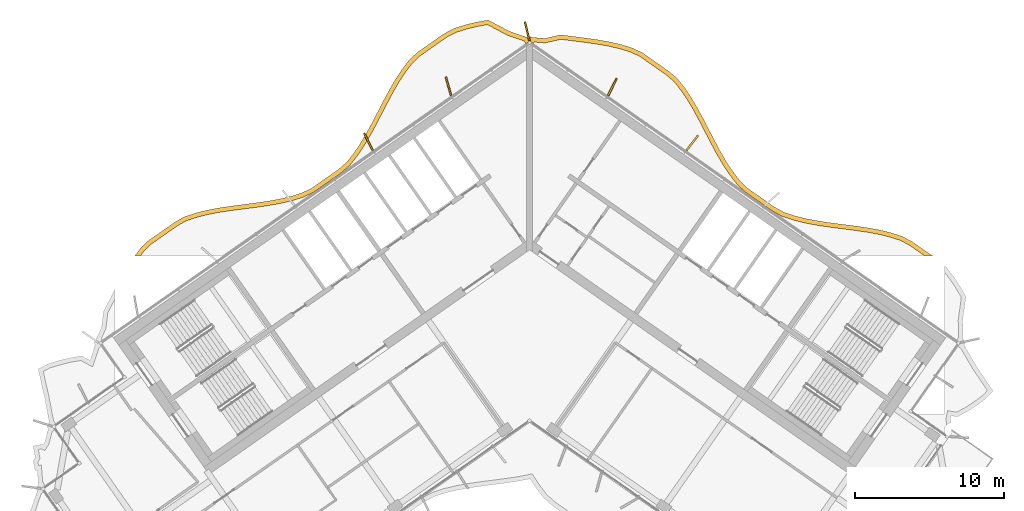
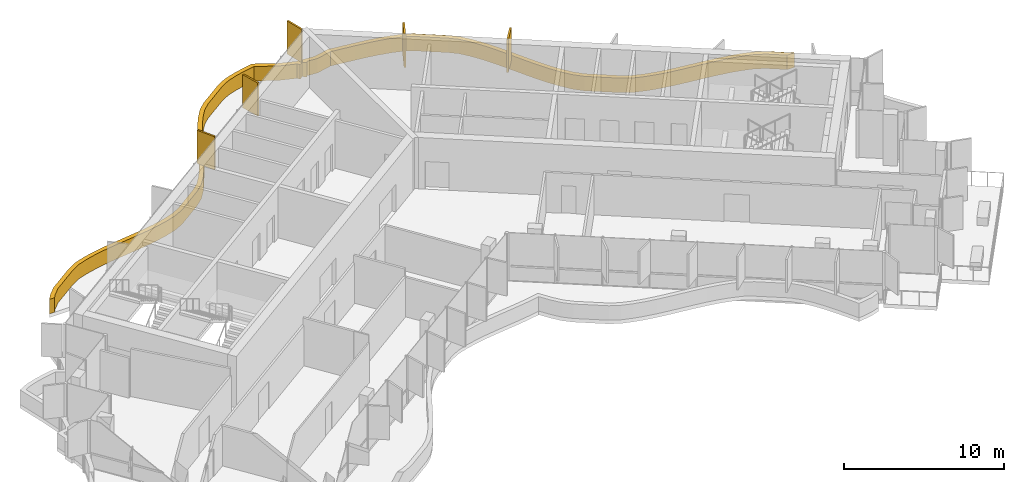
# One storey, part 17 of 18: 6 shading devices.
"""IFC4 building model written with IfcOpenShell, lengths in metres."""

import ifcopenshell
import ifcopenshell.guid

model = None  # the IFC model being written
_history = None  # IfcOwnerHistory: only IFC2X3 demands one
_inside = {}  # id of a spatial element -> (the spatial element, [elements in it])
_under = {}  # id of a project, library or spatial element -> (it, [spatial elements below it])
_declared = {}  # id of a project -> (the project, [libraries it declares])
_typed = {}  # id of a type object -> (the type object, [elements of that type])
_made_of = {}  # id of a material, layer set ... -> (it, [elements and type objects made of it])


def new_model(schema):
    """Start an empty IFC model of exactly this schema.

    Asked for "IFC4X3", IfcOpenShell would pick the latest addendum, in which some entities
    have other attributes; the version numbers below select the first issue.
    IFC2X3 requires an IfcOwnerHistory on every rooted entity: one is made here for all.
    """
    global model, _history
    if schema == "IFC4X3":
        model = ifcopenshell.file(schema_version=(4, 3, 0, 0))
    else:
        model = ifcopenshell.file(schema=schema)
    _inside.clear()
    _under.clear()
    _declared.clear()
    _typed.clear()
    _made_of.clear()
    _history = None
    if model.schema == "IFC2X3":
        org = make("IfcOrganization", Name="unknown")
        user = make(
            "IfcPersonAndOrganization",
            ThePerson=make("IfcPerson", FamilyName="unknown"),
            TheOrganization=org,
        )
        app = make(
            "IfcApplication",
            ApplicationDeveloper=org,
            Version="unknown",
            ApplicationFullName="unknown",
            ApplicationIdentifier="unknown",
        )
        _history = make(
            "IfcOwnerHistory",
            OwningUser=user,
            OwningApplication=app,
            ChangeAction="ADDED",
            CreationDate=0,
        )
    return model


def make(cls, **values):
    """One entity of the class cls with the attributes given. An attribute that is None is left unset."""
    return model.create_entity(
        cls, **{name: value for name, value in values.items() if value is not None}
    )


def rooted(cls, **values):
    """An entity with a GlobalId (a new one), such as an element, a storey or a relation."""
    return make(cls, GlobalId=ifcopenshell.guid.new(), OwnerHistory=_history, **values)


def si_unit(unit_type, name, prefix=None):
    """IfcSIUnit, for example si_unit("LENGTHUNIT", "METRE", prefix="MILLI")."""
    return make("IfcSIUnit", UnitType=unit_type, Prefix=prefix, Name=name)


def assignment(units):
    """IfcUnitAssignment: the units of a project."""
    return None if units is None else make("IfcUnitAssignment", Units=units)


def point(xyz):
    """IfcCartesianPoint."""
    return None if xyz is None else make("IfcCartesianPoint", Coordinates=xyz)


def direction(xyz):
    """IfcDirection."""
    return None if xyz is None else make("IfcDirection", DirectionRatios=xyz)


def frame(location, z_axis=None, x_axis=None):
    """IfcAxis2Placement3D, a coordinate frame: its origin and axes. An axis left out is left unset."""
    return make(
        "IfcAxis2Placement3D",
        Location=point(location),
        Axis=direction(z_axis),
        RefDirection=direction(x_axis),
    )


def frame_2d(location, x_axis=None):
    """IfcAxis2Placement2D, a coordinate frame in the plane: its origin and x axis."""
    return make(
        "IfcAxis2Placement2D", Location=point(location), RefDirection=direction(x_axis)
    )


def origin():
    """The frame at (0, 0, 0) with its axes left unset."""
    return frame((0.0, 0.0, 0.0))


def origin_2d():
    """The frame at (0, 0) in the plane with its x axis left unset."""
    return frame_2d((0.0, 0.0))


def place(relative_to, where):
    """IfcLocalPlacement: puts the frame where relative to a parent placement (None: the world)."""
    return make(
        "IfcLocalPlacement", PlacementRelTo=relative_to, RelativePlacement=where
    )


def context(
    kind, dimensions, precision=None, world=None, true_north=None, identifier=None
):
    """IfcGeometricRepresentationContext, for example the 3D "Model" context."""
    return make(
        "IfcGeometricRepresentationContext",
        ContextIdentifier=identifier,
        ContextType=kind,
        CoordinateSpaceDimension=dimensions,
        Precision=precision,
        WorldCoordinateSystem=world,
        TrueNorth=true_north,
    )


def subcontext(parent, identifier, kind, view, scale=None):
    """IfcGeometricRepresentationSubContext, for example "Body" below "Model"."""
    return make(
        "IfcGeometricRepresentationSubContext",
        ContextIdentifier=identifier,
        ContextType=kind,
        ParentContext=parent,
        TargetScale=scale,
        TargetView=view,
    )


def project(units=None, contexts=None):
    """IfcProject with its units and contexts."""
    return rooted(
        "IfcProject",
        Name="project",
        RepresentationContexts=contexts,
        UnitsInContext=assignment(units),
    )


def spatial(cls, under=None, at=None, **own):
    """A site, building, storey or space (cls), placed at a placement, below another one or the project."""
    s = rooted(cls, ObjectPlacement=at, **own)
    if under is not None:
        _under.setdefault(under.id(), (under, []))[1].append(s)
    return s


def polyline(points):
    """IfcPolyline through the points."""
    return make("IfcPolyline", Points=[point(p) for p in points])


def profile(cls, at=None, kind="AREA", **sizes):
    """A parametric profile (cls). Its sizes go by their IFC names, for example OverallWidth=200.0."""
    return make(cls, ProfileType=kind, Position=at, **sizes)


def rectangle(**sizes):
    """IfcRectangleProfileDef."""
    return profile("IfcRectangleProfileDef", **sizes)


def outline(outer, holes=None, kind="AREA"):
    """IfcArbitraryClosedProfileDef: a profile drawn as a closed curve; with holes, ...WithVoids."""
    if holes is None:
        return make("IfcArbitraryClosedProfileDef", ProfileType=kind, OuterCurve=outer)
    return make(
        "IfcArbitraryProfileDefWithVoids",
        ProfileType=kind,
        OuterCurve=outer,
        InnerCurves=holes,
    )


def extrude(swept, where, along, depth):
    """IfcExtrudedAreaSolid: the profile swept, set in the frame where, extruded along a direction by depth."""
    return make(
        "IfcExtrudedAreaSolid",
        SweptArea=swept,
        Position=where,
        ExtrudedDirection=direction(along),
        Depth=depth,
    )


def shape(context_of_items, identifier, shape_type, items):
    """IfcShapeRepresentation: the items that make up one representation, for example the "Body"."""
    return make(
        "IfcShapeRepresentation",
        ContextOfItems=context_of_items,
        RepresentationIdentifier=identifier,
        RepresentationType=shape_type,
        Items=items,
    )


def material(Name=None, Category=None):
    """IfcMaterial."""
    return make("IfcMaterial", Name=Name, Category=Category)


def layer(
    of_material, thickness, ventilated=None, Name=None, Category=None, Priority=None
):
    """IfcMaterialLayer: one layer of a wall or slab, of a material (None: an air gap)."""
    return make(
        "IfcMaterialLayer",
        Material=of_material,
        LayerThickness=thickness,
        IsVentilated=ventilated,
        Name=Name,
        Category=Category,
        Priority=Priority,
    )


def layer_set(layers, Name=None):
    """IfcMaterialLayerSet."""
    return make("IfcMaterialLayerSet", MaterialLayers=layers, LayerSetName=Name)


def made_of(thing, what):
    """Note that an element or type object is made of a material, layer set ...; save() writes the relation."""
    if what is not None:
        _made_of.setdefault(what.id(), (what, []))[1].append(thing)
    return thing


def type_object(cls, material=None, **own):
    """A type object (cls), such as IfcWallType, which elements share."""
    return made_of(rooted(cls, **own), material)


def element(
    cls,
    number,
    at=None,
    inside=None,
    cuts=None,
    type_object=None,
    material=None,
    context=None,
    identifier="Body",
    shape_type=None,
    held_by="IfcProductDefinitionShape",
    body=None,
    shapes=None,
    **own,
):
    """One element of the class cls, such as IfcWall. Its Tag is "e" and its number.

    at: its placement. inside: the storey or other place that contains it. cuts: it is an
    opening in that element (IfcRelVoidsElement). A single representation is given by context,
    identifier, shape_type and body (its items); several are given by shapes. held_by: the class
    of the entity that holds the representations. save() writes the other relations.
    """
    e = rooted(cls, Tag="e%d" % number, ObjectPlacement=at, **own)
    if body is not None:
        shapes = [shape(context, identifier, shape_type, body)]
    if shapes is not None:
        e.Representation = make(held_by, Representations=shapes)
    if inside is not None:
        _inside.setdefault(inside.id(), (inside, []))[1].append(e)
    if cuts is not None:
        rooted(
            "IfcRelVoidsElement", RelatingBuildingElement=cuts, RelatedOpeningElement=e
        )
    if type_object is not None:
        _typed.setdefault(type_object.id(), (type_object, []))[1].append(e)
    return made_of(e, material)


def aggregate(whole, parts):
    """IfcRelAggregates: a whole, such as a stair, and the parts it consists of."""
    return rooted("IfcRelAggregates", RelatingObject=whole, RelatedObjects=parts)


def save(model, path):
    """Write the relations noted so far, then the file.

    IfcRelAggregates (storeys below a building ...), IfcRelContainedInSpatialStructure (elements
    in a storey), IfcRelDefinesByType, IfcRelAssociatesMaterial and IfcRelDeclares: one each for
    every whole, place, type object, material and project.
    """
    for whole, parts in _under.values():
        aggregate(whole, parts)
    for where, things in _inside.values():
        rooted(
            "IfcRelContainedInSpatialStructure",
            RelatedElements=things,
            RelatingStructure=where,
        )
    for kind, things in _typed.values():
        rooted("IfcRelDefinesByType", RelatedObjects=things, RelatingType=kind)
    for what, things in _made_of.values():
        rooted("IfcRelAssociatesMaterial", RelatedObjects=things, RelatingMaterial=what)
    for by, libraries in _declared.values():
        rooted("IfcRelDeclares", RelatingContext=by, RelatedDefinitions=libraries)
    model.write(path)


model = new_model("IFC4")

# Units and contexts
model_context = context("Model", 3, precision=1e-05, world=origin(), true_north=direction((0.0, 1.0)))
body_context = subcontext(model_context, "Body", "Model", "MODEL_VIEW")
ifc_project = project(units=[si_unit("LENGTHUNIT", "METRE"), si_unit("AREAUNIT", "SQUARE_METRE"), si_unit("VOLUMEUNIT", "CUBIC_METRE"), si_unit("PLANEANGLEUNIT", "RADIAN"), si_unit("MASSUNIT", "GRAM", prefix="KILO")], contexts=[model_context])

# Site, building, storey
site_placement = place(None, origin())
site = spatial("IfcSite", under=ifc_project, at=site_placement, CompositionType="ELEMENT")
building_placement = place(site_placement, origin())
building = spatial("IfcBuilding", under=site, at=building_placement, Name="Tel Ilan Convention Tower", CompositionType="ELEMENT")
storey_placement = place(building_placement, frame((0.0, 0.0, 272.199951171875)))
storey = spatial("IfcBuildingStorey", under=building, at=storey_placement, Name="L64", CompositionType="ELEMENT", Elevation=272.199951171875)

# Shading devices
ifc_material_1 = material(Name="Aluminium, bronze anodised", Category="aluminium")
ifc_layer_1 = layer(ifc_material_1, 0.1201171875)
ifc_layer_set_1 = layer_set([ifc_layer_1], Name="FIN BRONZE 1300x120")
shading_device_type_1 = type_object("IfcShadingDeviceType", Name="FIN BRONZE 1300x120", PredefinedType="USERDEFINED", material=ifc_layer_set_1)
for number, where, z_axis, x_axis, name in (
    (1, (10.929931640625, 5.96044921875, 1.10009765625), (0.0, 0.0, 1.0), (0.612600545196, 0.790392669516, 0.0), "FIN"),
    (2, (5.561767578125, 9.718994140625, 1.10009765625), (0.0, 0.0, 1.0), (0.448799180206, 0.893632640321, 0.0), "FIN"),
    (3, (-0.156005859375, 13.463134765625, 1.10009765625), (0.0, 0.0, 1.0), (-0.240039791311, 0.970763049661, 0.0), "FIN"),
    (4, (-5.45068359375, 9.7734375, 1.10009765625), (0.0, 0.0, 1.0), (-0.268172612768, 0.963370878614, 0.0), "FIN"),
    (5, (-10.826904296875, 6.0322265625, 1.10009765625), (0.0, 0.0, 1.0), (-0.448799180206, 0.893632640321, 0.0), "FIN"),
):
    element("IfcShadingDevice", number, at=place(storey_placement, frame(where, z_axis=z_axis, x_axis=x_axis)), inside=storey, type_object=shading_device_type_1, Name=name, ObjectType="FIN", PredefinedType="USERDEFINED", context=body_context, shape_type="SweptSolid", body=[
        extrude(rectangle(XDim=1.300048828125, YDim=0.1201171875, at=origin_2d()), origin(), (0.0, 0.0, 1.0), 2.52001953125),
    ])
ifc_material_2 = material(Name="Aluminium, bronze anodised", Category="aluminium")
ifc_layer_2 = layer(ifc_material_2, 0.300048828125)
ifc_layer_set_2 = layer_set([ifc_layer_2], Name="LOUVRE BAND 300x1100")
shading_device_type_2 = type_object("IfcShadingDeviceType", Name="LOUVRE BAND 300x1100", PredefinedType="USERDEFINED", material=ifc_layer_set_2)
shading_device_placement = place(storey_placement, origin())
element("IfcShadingDevice", 6, at=shading_device_placement, inside=storey, type_object=shading_device_type_2, Name="LOUVRE BAND 49.02", ObjectType="LOUVRE", PredefinedType="USERDEFINED", context=body_context, shape_type="SweptSolid", body=[
    extrude(outline(polyline([(-26.1787109375, -1.1572265625), (-26.535888671875, -1.631591796875), (-26.160400390625, -1.631591796875), (-25.951416015625, -1.35400390625), (-25.457275390625, -0.856689453125), (-23.680908203125, 0.38720703125), (-23.075439453125, 0.7314453125), (-22.38525390625, 0.962158203125), (-21.640625, 1.14990234375), (-20.86181640625, 1.298828125), (-20.0576171875, 1.420166015625), (-18.409423828125, 1.63232421875), (-17.585205078125, 1.750732421875), (-16.773193359375, 1.89599609375), (-15.982666015625, 2.081298828125), (-15.212646484375, 2.320556640625), (-14.499267578125, 2.665771484375), (-12.656005859375, 3.956298828125), (-12.066162109375, 4.474609375), (-11.566650390625, 5.110107421875), (-11.115234375, 5.78173828125), (-10.696044921875, 6.4892578125), (-10.29931640625, 7.220458984375), (-9.535400390625, 8.69873046875), (-9.148681640625, 9.41796875), (-8.746337890625, 10.106201171875), (-8.320556640625, 10.751220703125), (-7.871337890625, 11.33544921875), (-7.3623046875, 11.813720703125), (-5.585693359375, 13.0576171875), (-4.96826171875, 13.382568359375), (-4.27001953125, 13.607666015625), (-3.520751953125, 13.78955078125), (-2.834228515625, 13.914794921875), (-1.477294921875, 13.19677734375), (-0.362060546875, 12.81201171875), (-0.24609375, 12.646728515625), (0.0, 12.818115234375), (0.24609375, 12.646728515625), (0.318603515625, 12.75), (1.040771484375, 12.687744140625), (2.10400390625, 12.9296875), (3.699462890625, 12.72509765625), (4.510009765625, 12.60986328125), (5.2978515625, 12.47119140625), (6.054443359375, 12.297119140625), (6.765625, 12.080078125), (7.40185546875, 11.785888671875), (9.17822265625, 10.5419921875), (9.708740234375, 10.0908203125), (10.16162109375, 9.521240234375), (10.5927734375, 8.885498046875), (10.9990234375, 8.204833984375), (11.38818359375, 7.49072265625), (12.151123046875, 6.014404296875), (12.54443359375, 5.2802734375), (12.958740234375, 4.567138671875), (13.403076171875, 3.8876953125), (13.891357421875, 3.245849609375), (14.459716796875, 2.693359375), (16.302978515625, 1.40283203125), (16.991455078125, 1.02587890625), (17.759521484375, 0.773681640625), (18.544921875, 0.579345703125), (19.353271484375, 0.42724609375), (20.176025390625, 0.3046875), (21.826416015625, 0.092529296875), (22.634765625, -0.025146484375), (23.4189453125, -0.167724609375), (24.1708984375, -0.34716796875), (24.873291015625, -0.569580078125), (25.496826171875, -0.88427734375), (26.56396484375, -1.631591796875), (27.087158203125, -1.631591796875), (25.6513671875, -0.626220703125), (24.987060546875, -0.290771484375), (24.2509765625, -0.057861328125), (23.480712890625, 0.1259765625), (22.68310546875, 0.27099609375), (21.8671875, 0.3896484375), (20.21728515625, 0.601806640625), (19.4033203125, 0.72314453125), (18.60888671875, 0.87255859375), (17.842529296875, 1.062255859375), (17.111328125, 1.30224609375), (16.46142578125, 1.657958984375), (14.6513671875, 2.92529296875), (14.116455078125, 3.4453125), (13.648193359375, 4.060791015625), (13.214111328125, 4.724609375), (12.806396484375, 5.426513671875), (12.416748046875, 6.154052734375), (11.653076171875, 7.631591796875), (11.259521484375, 8.353515625), (10.845947265625, 9.046875), (10.403564453125, 9.69921875), (9.925537109375, 10.300537109375), (9.36181640625, 10.77978515625), (7.552001953125, 12.047119140625), (6.872802734375, 12.361083984375), (6.132080078125, 12.587158203125), (5.357666015625, 12.765380859375), (4.55712890625, 12.90625), (3.739501953125, 13.0224609375), (2.08935546875, 13.234130859375), (1.02001953125, 12.99072265625), (0.168701171875, 13.059326171875), (0.11474609375, 13.09521484375), (0.0, 13.1181640625), (-0.11474609375, 13.09521484375), (-0.168701171875, 13.059326171875), (-1.357666015625, 13.472900390625), (-2.785888671875, 14.228515625), (-3.5830078125, 14.083251953125), (-4.3515625, 13.896484375), (-5.0849609375, 13.66015625), (-5.7421875, 13.314453125), (-7.552001953125, 12.047119140625), (-8.09423828125, 11.53759765625), (-8.56494140625, 10.925537109375), (-9.001220703125, 10.264404296875), (-9.410400390625, 9.564697265625), (-9.801025390625, 8.838623046875), (-10.564453125, 7.36083984375), (-10.95703125, 6.63720703125), (-11.369140625, 5.94189453125), (-11.809326171875, 5.28662109375), (-12.284912109375, 4.681640625), (-12.841552734375, 4.192626953125), (-14.6513671875, 2.92529296875), (-15.3232421875, 2.6005859375), (-16.0615234375, 2.370849609375), (-16.833984375, 2.18994140625), (-17.6328125, 2.046875), (-18.44970703125, 1.9296875), (-20.099365234375, 1.71728515625), (-20.91259765625, 1.594482421875), (-21.705322265625, 1.44287109375), (-22.4697265625, 1.250244140625), (-23.1982421875, 1.0068359375), (-23.84130859375, 0.64111328125), (-25.6513671875, -0.626220703125), (-26.1787109375, -1.1572265625)])), origin(), (0.0, 0.0, 1.0), 1.10009765625),
])

save(model, "model.ifc")
